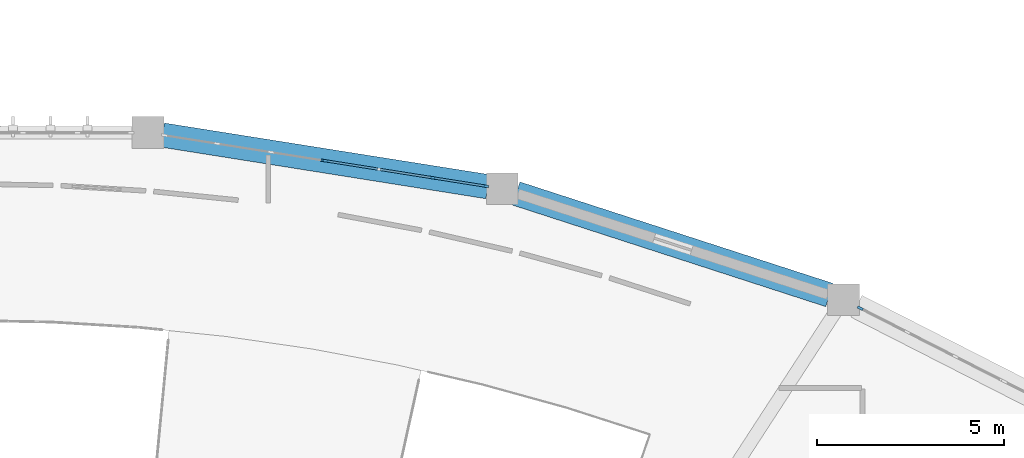
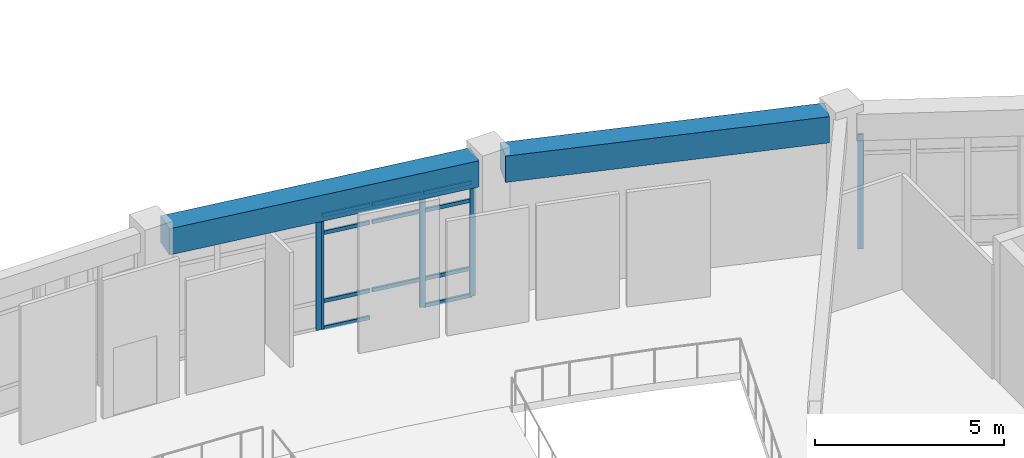
# One storey, part 21 of 68: 16 members, 2 beams, 3 elements without a shape of their own.
"""IFC4 building model written with IfcOpenShell, lengths in metres."""

from ifc_helpers import new_model, si_unit, direction, frame, origin, origin_2d, place, context, subcontext, project, spatial, rectangle, extrude, material, layer, layer_set, material_profile, profile_set, type_object, element, aggregate, save


model = new_model("IFC4")

# Units and contexts
model_context = context("Model", 3, precision=1e-05, world=origin(), true_north=direction((0.0, 1.0)))
body_context = subcontext(model_context, "Body", "Model", "MODEL_VIEW")
ifc_project = project(units=[si_unit("LENGTHUNIT", "METRE"), si_unit("AREAUNIT", "SQUARE_METRE"), si_unit("VOLUMEUNIT", "CUBIC_METRE"), si_unit("PLANEANGLEUNIT", "RADIAN"), si_unit("MASSUNIT", "GRAM", prefix="KILO")], contexts=[model_context])

# Site, building, storey
site_placement = place(None, origin())
site = spatial("IfcSite", under=ifc_project, at=site_placement, CompositionType="ELEMENT")
building_placement = place(site_placement, origin())
building = spatial("IfcBuilding", under=site, at=building_placement, Name="Miralva Faculty of Natural Sciences", CompositionType="ELEMENT")
storey_placement = place(building_placement, frame((0.0, 0.0, 5.39990234375)))
storey = spatial("IfcBuildingStorey", under=building, at=storey_placement, Name="L01", CompositionType="ELEMENT", Elevation=5.39990234375)

# Beams
ifc_material_1 = material(Name="Concrete C40/50", Category="concrete")
ifc_material_profile_1 = material_profile(ifc_material_1, rectangle(XDim=0.64990234375, YDim=0.85009765625, at=origin_2d()), Name="RC 650x850")
ifc_profile_set_1 = profile_set([ifc_material_profile_1], Name="Concrete C40/50")
beam_type = type_object("IfcBeamType", Name="BM-SP03", PredefinedType="SPANDREL", material=ifc_profile_set_1)
beam_1_placement = place(storey_placement, frame((112.968017578125, 35.480712890625, 4.135009765625), z_axis=(-0.951268878856, 0.308362643846, 0.0), x_axis=(-0.308362643846, -0.951268878856, 0.0)))
element("IfcBeam", 1, at=beam_1_placement, inside=storey, type_object=beam_type, Name="Curved chord girder SHOUT L01-3", PredefinedType="SPANDREL", context=body_context, shape_type="SweptSolid", body=[
    extrude(rectangle(XDim=0.64990234375, YDim=0.85009765625, at=origin_2d()), origin(), (0.0, 0.0, 1.0), 8.7841796875),
])
beam_2_placement = place(storey_placement, frame((103.853759765625, 38.371337890625, 4.135009765625), z_axis=(-0.987634435807, 0.156774427787, 0.0), x_axis=(-0.156774427787, -0.987634435807, 0.0)))
element("IfcBeam", 2, at=beam_2_placement, inside=storey, type_object=beam_type, Name="Curved chord girder SHOUT L01-4", PredefinedType="SPANDREL", context=body_context, shape_type="SweptSolid", body=[
    extrude(rectangle(XDim=0.64990234375, YDim=0.85009765625, at=origin_2d()), origin(), (0.0, 0.0, 1.0), 8.7861328125),
])

# Curtain wall, member
ifc_material_2 = material(Name="Laminated solar-control glass", Category="glass")
ifc_layer = layer(ifc_material_2, 0.179931640625, Name="CW-ARC-L01")
ifc_layer_set = layer_set([ifc_layer], Name="Laminated solar-control glass")
curtain_wall_type = type_object("IfcCurtainWallType", Name="CW-ARC-L01", PredefinedType="USERDEFINED", material=ifc_layer_set)
curtain_wall_1_placement = place(storey_placement, origin())
curtain_wall_1 = element("IfcCurtainWall", 3, at=curtain_wall_1_placement, inside=storey, type_object=curtain_wall_type, Name="Curtain wall CW-02 L01-41", ObjectType="UNITISED CURTAIN WALL", PredefinedType="USERDEFINED")
ifc_material_3 = material(Name="Anodised aluminium", Category="aluminium")
ifc_material_profile_2 = material_profile(ifc_material_3, rectangle(XDim=0.06494140625, YDim=0.159912109375, at=origin_2d()), Name="MULLION 65x160")
ifc_profile_set_2 = profile_set([ifc_material_profile_2], Name="Anodised aluminium")
member_type_1 = type_object("IfcMemberType", Name="CW-M02", PredefinedType="MULLION", material=ifc_profile_set_2)
member_1_placement = place(storey_placement, frame((99.48095703125, 39.068359375, 0.0), z_axis=(0.0, 0.0, 1.0), x_axis=(0.156417211778, 0.987691073089, 0.0)))
member_1 = element("IfcMember", 4, at=member_1_placement, type_object=member_type_1, Name="CW-02 mullion 4", PredefinedType="MULLION", context=body_context, shape_type="SweptSolid", body=[
    extrude(rectangle(XDim=0.06494140625, YDim=0.159912109375, at=origin_2d()), origin(), (0.0, 0.0, 1.0), 3.705078125),
])
aggregate(curtain_wall_1, [member_1])

# Curtain wall, members
curtain_wall_2_placement = place(storey_placement, origin())
curtain_wall_2 = element("IfcCurtainWall", 5, at=curtain_wall_2_placement, inside=storey, type_object=curtain_wall_type, Name="Curtain wall CW-02 L01-42", ObjectType="UNITISED CURTAIN WALL", PredefinedType="USERDEFINED")
member_2_placement = place(storey_placement, frame((99.540283203125, 39.05908203125, 0.0), z_axis=(0.0, 0.0, 1.0), x_axis=(0.156444855796, 0.987686694805, 0.0)))
member_2 = element("IfcMember", 6, at=member_2_placement, type_object=member_type_1, Name="CW-02 mullion 1", PredefinedType="MULLION", context=body_context, shape_type="SweptSolid", body=[
    extrude(rectangle(XDim=0.06494140625, YDim=0.159912109375, at=origin_2d()), origin(), (0.0, 0.0, 1.0), 3.705078125),
])
member_3_placement = place(storey_placement, frame((102.3896484375, 38.607666015625, 0.0), z_axis=(0.0, 0.0, 1.0), x_axis=(0.156444855796, 0.987686694805, 0.0)))
member_3 = element("IfcMember", 7, at=member_3_placement, type_object=member_type_1, Name="CW-02 mullion 3", PredefinedType="MULLION", context=body_context, shape_type="SweptSolid", body=[
    extrude(rectangle(XDim=0.06494140625, YDim=0.159912109375, at=origin_2d()), origin(), (0.0, 0.0, 1.0), 3.705078125),
])
member_4_placement = place(storey_placement, frame((103.798095703125, 38.384521484375, 0.0), z_axis=(0.0, 0.0, 1.0), x_axis=(0.156444855796, 0.987686694805, 0.0)))
member_4 = element("IfcMember", 8, at=member_4_placement, type_object=member_type_1, Name="CW-02 mullion 4", PredefinedType="MULLION", context=body_context, shape_type="SweptSolid", body=[
    extrude(rectangle(XDim=0.06494140625, YDim=0.159912109375, at=origin_2d()), origin(), (0.0, 0.0, 1.0), 3.705078125),
])

# Curtain wall, member
curtain_wall_3_placement = place(storey_placement, origin())
curtain_wall_3 = element("IfcCurtainWall", 9, at=curtain_wall_3_placement, inside=storey, type_object=curtain_wall_type, Name="Curtain wall CW-02 L01-43", ObjectType="UNITISED CURTAIN WALL", PredefinedType="USERDEFINED")
member_5_placement = place(storey_placement, frame((113.786865234375, 35.130859375, 0.0), z_axis=(0.0, 0.0, 1.0), x_axis=(0.453967729556, 0.89101812581, 0.0)))
member_5 = element("IfcMember", 10, at=member_5_placement, type_object=member_type_1, Name="CW-02 mullion 1", PredefinedType="MULLION", context=body_context, shape_type="SweptSolid", body=[
    extrude(rectangle(XDim=0.06494140625, YDim=0.159912109375, at=origin_2d()), origin(), (0.0, 0.0, 1.0), 3.705078125),
])
aggregate(curtain_wall_3, [member_5])

# Member
ifc_material_profile_3 = material_profile(ifc_material_3, rectangle(XDim=0.06005859375, YDim=0.1201171875, at=origin_2d()), Name="TRANSOM 60x120")
ifc_profile_set_3 = profile_set([ifc_material_profile_3], Name="Anodised aluminium")
member_type_2 = type_object("IfcMemberType", Name="CW-T02", PredefinedType="USERDEFINED", material=ifc_profile_set_3)
member_6_placement = place(storey_placement, frame((99.572509765625, 39.053955078125, 0.030029296875), z_axis=(0.987690134569, -0.156423137912, 0.0), x_axis=(0.156423137912, 0.987690134569, 0.0)))
member_6 = element("IfcMember", 11, at=member_6_placement, type_object=member_type_2, Name="CW-02 transom 1.1", ObjectType="TRANSOM", PredefinedType="USERDEFINED", context=body_context, shape_type="SweptSolid", body=[
    extrude(rectangle(XDim=0.06005859375, YDim=0.1201171875, at=origin_2d()), origin(), (0.0, 0.0, 1.0), 1.361083984375),
])

member_7_placement = place(storey_placement, frame((99.572509765625, 39.053955078125, 0.900146484375), z_axis=(0.987690134569, -0.156423137912, 0.0), x_axis=(0.156423137912, 0.987690134569, 0.0)))
member_7 = element("IfcMember", 12, at=member_7_placement, type_object=member_type_2, Name="CW-02 transom 1.2", ObjectType="TRANSOM", PredefinedType="USERDEFINED", context=body_context, shape_type="SweptSolid", body=[
    extrude(rectangle(XDim=0.06005859375, YDim=0.1201171875, at=origin_2d()), origin(), (0.0, 0.0, 1.0), 1.361083984375),
])

member_8_placement = place(storey_placement, frame((99.572509765625, 39.053955078125, 3.10498046875), z_axis=(0.987690134569, -0.156423137912, 0.0), x_axis=(0.156423137912, 0.987690134569, 0.0)))
member_8 = element("IfcMember", 13, at=member_8_placement, type_object=member_type_2, Name="CW-02 transom 1.3", ObjectType="TRANSOM", PredefinedType="USERDEFINED", context=body_context, shape_type="SweptSolid", body=[
    extrude(rectangle(XDim=0.06005859375, YDim=0.1201171875, at=origin_2d()), origin(), (0.0, 0.0, 1.0), 1.361083984375),
])

member_9_placement = place(storey_placement, frame((99.572509765625, 39.053955078125, 3.675048828125), z_axis=(0.987690134569, -0.156423137912, 0.0), x_axis=(0.156423137912, 0.987690134569, 0.0)))
member_9 = element("IfcMember", 14, at=member_9_placement, type_object=member_type_2, Name="CW-02 transom 1.4", ObjectType="TRANSOM", PredefinedType="USERDEFINED", context=body_context, shape_type="SweptSolid", body=[
    extrude(rectangle(XDim=0.06005859375, YDim=0.1201171875, at=origin_2d()), origin(), (0.0, 0.0, 1.0), 1.361083984375),
])

member_10_placement = place(storey_placement, frame((100.98095703125, 38.830810546875, 0.900146484375), z_axis=(0.987687568473, -0.156439339951, 0.0), x_axis=(0.156439339951, 0.987687568473, 0.0)))
member_10 = element("IfcMember", 15, at=member_10_placement, type_object=member_type_2, Name="CW-02 transom 2.2", ObjectType="TRANSOM", PredefinedType="USERDEFINED", context=body_context, shape_type="SweptSolid", body=[
    extrude(rectangle(XDim=0.06005859375, YDim=0.1201171875, at=origin_2d()), origin(), (0.0, 0.0, 1.0), 1.3935546875),
])

member_11_placement = place(storey_placement, frame((100.98095703125, 38.830810546875, 3.10498046875), z_axis=(0.987687568473, -0.156439339951, 0.0), x_axis=(0.156439339951, 0.987687568473, 0.0)))
member_11 = element("IfcMember", 16, at=member_11_placement, type_object=member_type_2, Name="CW-02 transom 2.3", ObjectType="TRANSOM", PredefinedType="USERDEFINED", context=body_context, shape_type="SweptSolid", body=[
    extrude(rectangle(XDim=0.06005859375, YDim=0.1201171875, at=origin_2d()), origin(), (0.0, 0.0, 1.0), 1.3935546875),
])

member_12_placement = place(storey_placement, frame((100.98095703125, 38.830810546875, 3.675048828125), z_axis=(0.987687568473, -0.156439339951, 0.0), x_axis=(0.156439339951, 0.987687568473, 0.0)))
member_12 = element("IfcMember", 17, at=member_12_placement, type_object=member_type_2, Name="CW-02 transom 2.4", ObjectType="TRANSOM", PredefinedType="USERDEFINED", context=body_context, shape_type="SweptSolid", body=[
    extrude(rectangle(XDim=0.06005859375, YDim=0.1201171875, at=origin_2d()), origin(), (0.0, 0.0, 1.0), 1.3935546875),
])

member_13_placement = place(storey_placement, frame((102.421630859375, 38.6025390625, 0.030029296875), z_axis=(0.987694522615, -0.156395428313, 0.0), x_axis=(0.156395428313, 0.987694522615, 0.0)))
member_13 = element("IfcMember", 18, at=member_13_placement, type_object=member_type_2, Name="CW-02 transom 3.1", ObjectType="TRANSOM", PredefinedType="USERDEFINED", context=body_context, shape_type="SweptSolid", body=[
    extrude(rectangle(XDim=0.06005859375, YDim=0.1201171875, at=origin_2d()), origin(), (0.0, 0.0, 1.0), 1.361328125),
])

member_14_placement = place(storey_placement, frame((102.421630859375, 38.6025390625, 0.900146484375), z_axis=(0.987694522615, -0.156395428313, 0.0), x_axis=(0.156395428313, 0.987694522615, 0.0)))
member_14 = element("IfcMember", 19, at=member_14_placement, type_object=member_type_2, Name="CW-02 transom 3.2", ObjectType="TRANSOM", PredefinedType="USERDEFINED", context=body_context, shape_type="SweptSolid", body=[
    extrude(rectangle(XDim=0.06005859375, YDim=0.1201171875, at=origin_2d()), origin(), (0.0, 0.0, 1.0), 1.361328125),
])

member_15_placement = place(storey_placement, frame((102.421630859375, 38.6025390625, 3.10498046875), z_axis=(0.987694522615, -0.156395428313, 0.0), x_axis=(0.156395428313, 0.987694522615, 0.0)))
member_15 = element("IfcMember", 20, at=member_15_placement, type_object=member_type_2, Name="CW-02 transom 3.3", ObjectType="TRANSOM", PredefinedType="USERDEFINED", context=body_context, shape_type="SweptSolid", body=[
    extrude(rectangle(XDim=0.06005859375, YDim=0.1201171875, at=origin_2d()), origin(), (0.0, 0.0, 1.0), 1.361328125),
])

member_16_placement = place(storey_placement, frame((102.421630859375, 38.6025390625, 3.675048828125), z_axis=(0.987694522615, -0.156395428313, 0.0), x_axis=(0.156395428313, 0.987694522615, 0.0)))
member_16 = element("IfcMember", 21, at=member_16_placement, type_object=member_type_2, Name="CW-02 transom 3.4", ObjectType="TRANSOM", PredefinedType="USERDEFINED", context=body_context, shape_type="SweptSolid", body=[
    extrude(rectangle(XDim=0.06005859375, YDim=0.1201171875, at=origin_2d()), origin(), (0.0, 0.0, 1.0), 1.361328125),
])

aggregate(curtain_wall_2, [member_2, member_3, member_4, member_6, member_7, member_8, member_9, member_10, member_11, member_12, member_13, member_14, member_15, member_16])

save(model, "model.ifc")
